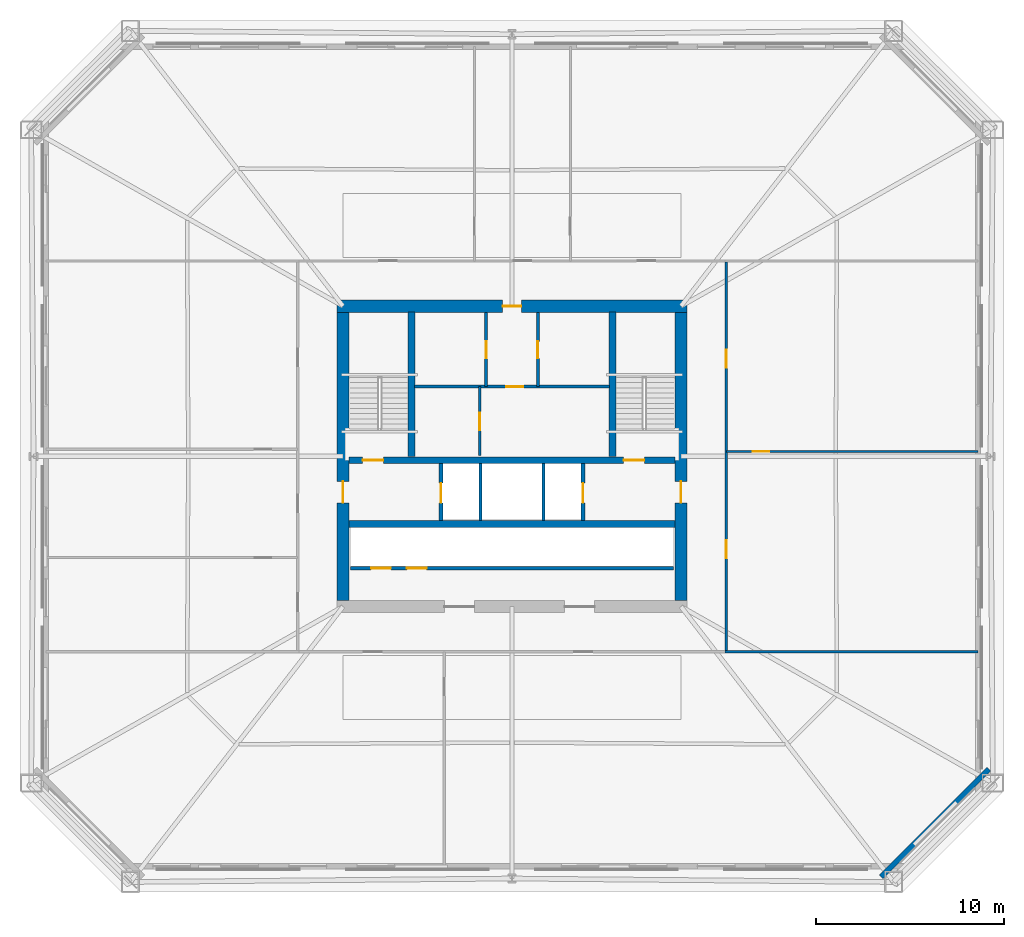
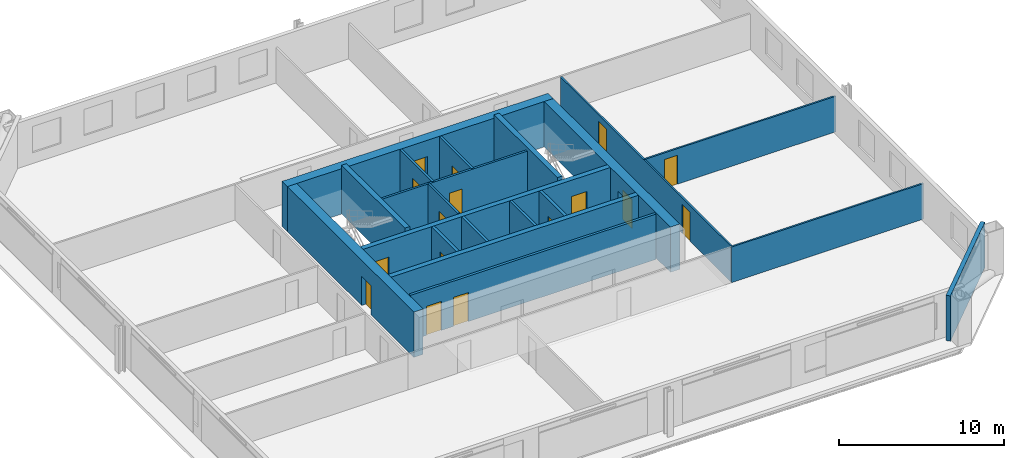
# One storey, part 6 of 11: 20 walls, 16 doors, 16 openings.
"""IFC4 building model written with IfcOpenShell, lengths in metres."""

from ifc_helpers import new_model, si_unit, direction, frame, frame_2d, origin, place, context, subcontext, project, spatial, rectangle, extrude, material, layer, layer_set, type_object, element, fill, save


model = new_model("IFC4")

# Units and contexts
model_context = context("Model", 3, precision=1e-05, world=origin(), true_north=direction((0.0, 1.0)))
body_context = subcontext(model_context, "Body", "Model", "MODEL_VIEW")
ifc_project = project(units=[si_unit("LENGTHUNIT", "METRE"), si_unit("AREAUNIT", "SQUARE_METRE"), si_unit("VOLUMEUNIT", "CUBIC_METRE"), si_unit("PLANEANGLEUNIT", "RADIAN"), si_unit("MASSUNIT", "GRAM", prefix="KILO")], contexts=[model_context])

# Site, building, storey
site_placement = place(None, origin())
site = spatial("IfcSite", under=ifc_project, at=site_placement, CompositionType="ELEMENT")
building_placement = place(site_placement, origin())
building = spatial("IfcBuilding", under=site, at=building_placement, Name="Caelvoria Tower", CompositionType="ELEMENT")
storey_placement = place(building_placement, frame((0.0, 0.0, 74.800048828125)))
storey = spatial("IfcBuildingStorey", under=building, at=storey_placement, Name="L19", CompositionType="ELEMENT", Elevation=74.800048828125)

# Wall, openings, doors
ifc_material_1 = material(Name="Concrete C50/60", Category="concrete")
ifc_layer_1 = layer(ifc_material_1, 0.35009765625, Name="Concrete C50/60")
ifc_layer_set_1 = layer_set([ifc_layer_1], Name="Core Internal Shear Wall 350 - Concrete C50/60")
wall_type_1 = type_object("IfcWallType", Name="Core Internal Shear Wall 350", PredefinedType="SHEAR", material=ifc_layer_set_1)
wall_1_placement = place(storey_placement, frame((37.324951171875, 31.800048828125, 0.0), z_axis=(0.0, 0.0, 1.0), x_axis=(1.0, 0.0, 0.0)))
wall_1 = element("IfcWall", 1, at=wall_1_placement, inside=storey, type_object=wall_type_1, Name="Core Shear Wall L19 M1", PredefinedType="SHEAR", context=body_context, shape_type="SweptSolid", body=[
    extrude(rectangle(XDim=17.35009765625, YDim=0.35009765625, at=frame_2d((8.675048828125, 0.0))), origin(), (0.0, 0.0, 1.0), 3.35986328125),
])
opening_1_placement = place(wall_1_placement, frame((0.72509765625, 0.0, 0.0)))
opening_1 = element("IfcOpeningElement", 2, at=opening_1_placement, cuts=wall_1, Name="Opening ID-01", PredefinedType="OPENING", context=body_context, shape_type="SweptSolid", body=[
    extrude(rectangle(XDim=1.10009765625, YDim=2.14990234375, at=frame_2d((0.550048828125, 1.074951171875))), frame((0.0, 0.18505859375, 0.0), z_axis=(0.0, -1.0, 0.0), x_axis=(1.0, 0.0, 0.0)), (0.0, 0.0, 1.0), 0.3701171875),
])
opening_2_placement = place(wall_1_placement, frame((14.625, 0.0, 0.0)))
opening_2 = element("IfcOpeningElement", 3, at=opening_2_placement, cuts=wall_1, Name="Opening ID-01", PredefinedType="OPENING", context=body_context, shape_type="SweptSolid", body=[
    extrude(rectangle(XDim=1.10009765625, YDim=2.14990234375, at=frame_2d((0.550048828125, 1.074951171875))), frame((0.0, 0.18505859375, 0.0), z_axis=(0.0, -1.0, 0.0), x_axis=(1.0, 0.0, 0.0)), (0.0, 0.0, 1.0), 0.3701171875),
])
ifc_material_2 = material(Name="Painted Hollow Steel Fire Door", Category="steel")
door_type_1 = type_object("IfcDoorType", Name="Fire Door FD90S 1100x2150", OperationType="NOTDEFINED", PredefinedType="DOOR", material=ifc_material_2)
door_1_placement = place(opening_1_placement, origin())
door_1 = element("IfcDoor", 4, at=door_1_placement, inside=storey, type_object=door_type_1, Name="Core Door DR-L19-ST1", OperationType="SINGLE_SWING_LEFT", OverallHeight=2.14990234375, OverallWidth=1.10009765625, PredefinedType="DOOR", context=body_context, shape_type="SweptSolid", body=[
    extrude(rectangle(XDim=1.10009765625, YDim=2.14990234375, at=frame_2d((0.550048828125, 1.074951171875))), frame((0.0, 0.02490234375, 0.0), z_axis=(0.0, -1.0, 0.0), x_axis=(1.0, 0.0, 0.0)), (0.0, 0.0, 1.0), 0.050048828125),
])
fill(opening_1, door_1)
door_2_placement = place(opening_2_placement, origin())
door_2 = element("IfcDoor", 5, at=door_2_placement, inside=storey, type_object=door_type_1, Name="Core Door DR-L19-ST2", OperationType="SINGLE_SWING_RIGHT", OverallHeight=2.14990234375, OverallWidth=1.10009765625, PredefinedType="DOOR", context=body_context, shape_type="SweptSolid", body=[
    extrude(rectangle(XDim=1.10009765625, YDim=2.14990234375, at=frame_2d((0.550048828125, 1.074951171875))), frame((0.0, 0.02490234375, 0.0), z_axis=(0.0, -1.0, 0.0), x_axis=(1.0, 0.0, 0.0)), (0.0, 0.0, 1.0), 0.050048828125),
])
fill(opening_2, door_2)

# Walls
wall_2_placement = place(storey_placement, frame((37.324951171875, 28.39990234375, 0.0), z_axis=(0.0, 0.0, 1.0), x_axis=(1.0, 0.0, 0.0)))
element("IfcWall", 6, at=wall_2_placement, inside=storey, type_object=wall_type_1, Name="Core Shear Wall L19 M2", PredefinedType="SHEAR", context=body_context, shape_type="SweptSolid", body=[
    extrude(rectangle(XDim=17.35009765625, YDim=0.35009765625, at=frame_2d((8.675048828125, 0.0))), origin(), (0.0, 0.0, 1.0), 3.35986328125),
])
for number, where, z_axis, x_axis, name in (
    (7, (40.64990234375, 32.0, 0.0), (0.0, 0.0, 1.0), (0.0, 1.0, 0.0), "Interior Partition IW-L19-ST1E"),
    (8, (51.35009765625, 32.0, 0.0), (0.0, 0.0, 1.0), (0.0, 1.0, 0.0), "Interior Partition IW-L19-ST2W"),
):
    element("IfcWall", number, at=place(storey_placement, frame(where, z_axis=z_axis, x_axis=x_axis)), inside=storey, type_object=wall_type_1, Name=name, PredefinedType="SHEAR", context=body_context, shape_type="SweptSolid", body=[
        extrude(rectangle(XDim=7.699951171875, YDim=0.35009765625, at=frame_2d((3.85009765625, 0.0))), origin(), (0.0, 0.0, 1.0), 3.599853515625),
    ])

# Wall, opening, door
ifc_material_3 = material(Name="Double Gypsum Board on Steel Stud", Category="steel")
ifc_layer_2 = layer(ifc_material_3, 0.14990234375, Name="Double Gypsum Board on Steel Stud")
ifc_layer_set_2 = layer_set([ifc_layer_2], Name="Core Service Acoustic Partition Wall 150 - Double Gypsum Board on Steel Stud")
wall_type_2 = type_object("IfcWallType", Name="Core Service Acoustic Partition Wall 150", PredefinedType="PARTITIONING", material=ifc_layer_set_2)
wall_3_placement = place(storey_placement, frame((44.6201171875, 35.719970703125, 0.0), z_axis=(0.0, 0.0, 1.0), x_axis=(0.0, 1.0, 0.0)))
wall_3 = element("IfcWall", 9, at=wall_3_placement, inside=storey, type_object=wall_type_2, Name="Interior Partition IW-L19-C0L", PredefinedType="PARTITIONING", context=body_context, shape_type="SweptSolid", body=[
    extrude(rectangle(XDim=3.929931640625, YDim=0.14990234375, at=frame_2d((1.96484375, 0.0))), origin(), (0.0, 0.0, 1.0), 3.35986328125),
])
opening_3_placement = place(wall_3_placement, frame((1.5, 0.0, 0.0)))
opening_3 = element("IfcOpeningElement", 10, at=opening_3_placement, cuts=wall_3, Name="Opening ID-06", PredefinedType="OPENING", context=body_context, shape_type="SweptSolid", body=[
    extrude(rectangle(XDim=0.89990234375, YDim=2.14990234375, at=frame_2d((0.449951171875, 1.074951171875))), frame((0.0, 0.0849609375, 0.0), z_axis=(0.0, -1.0, 0.0), x_axis=(1.0, 0.0, 0.0)), (0.0, 0.0, 1.0), 0.169921875),
])
ifc_material_4 = material(Name="Engineered Andean Oak Veneer Door", Category="wood")
door_type_2 = type_object("IfcDoorType", Name="Interior Timber Door 900x2150", OperationType="NOTDEFINED", PredefinedType="DOOR", material=ifc_material_4)
door_3_placement = place(opening_3_placement, origin())
door_3 = element("IfcDoor", 11, at=door_3_placement, inside=storey, type_object=door_type_2, Name="Interior Door DR-L19-C01", OperationType="SINGLE_SWING_LEFT", OverallHeight=2.14990234375, OverallWidth=0.89990234375, PredefinedType="DOOR", context=body_context, shape_type="SweptSolid", body=[
    extrude(rectangle(XDim=0.89990234375, YDim=2.14990234375, at=frame_2d((0.449951171875, 1.074951171875))), frame((0.0, 0.02490234375, 0.0), z_axis=(0.0, -1.0, 0.0), x_axis=(1.0, 0.0, 0.0)), (0.0, 0.0, 1.0), 0.050048828125),
])
fill(opening_3, door_3)

wall_4_placement = place(storey_placement, frame((47.3798828125, 35.719970703125, 0.0), z_axis=(0.0, 0.0, 1.0), x_axis=(0.0, 1.0, 0.0)))
wall_4 = element("IfcWall", 12, at=wall_4_placement, inside=storey, type_object=wall_type_2, Name="Interior Partition IW-L19-C0R", PredefinedType="PARTITIONING", context=body_context, shape_type="SweptSolid", body=[
    extrude(rectangle(XDim=3.929931640625, YDim=0.14990234375, at=frame_2d((1.96484375, 0.0))), origin(), (0.0, 0.0, 1.0), 3.35986328125),
])
opening_4_placement = place(wall_4_placement, frame((1.5, 0.0, 0.0)))
opening_4 = element("IfcOpeningElement", 13, at=opening_4_placement, cuts=wall_4, Name="Opening ID-06", PredefinedType="OPENING", context=body_context, shape_type="SweptSolid", body=[
    extrude(rectangle(XDim=0.89990234375, YDim=2.14990234375, at=frame_2d((0.449951171875, 1.074951171875))), frame((0.0, 0.0849609375, 0.0), z_axis=(0.0, -1.0, 0.0), x_axis=(1.0, 0.0, 0.0)), (0.0, 0.0, 1.0), 0.169921875),
])
door_4_placement = place(opening_4_placement, origin())
door_4 = element("IfcDoor", 14, at=door_4_placement, inside=storey, type_object=door_type_2, Name="Interior Door DR-L19-C02", OperationType="SINGLE_SWING_RIGHT", OverallHeight=2.14990234375, OverallWidth=0.89990234375, PredefinedType="DOOR", context=body_context, shape_type="SweptSolid", body=[
    extrude(rectangle(XDim=0.89990234375, YDim=2.14990234375, at=frame_2d((0.449951171875, 1.074951171875))), frame((0.0, 0.02490234375, 0.0), z_axis=(0.0, -1.0, 0.0), x_axis=(1.0, 0.0, 0.0)), (0.0, 0.0, 1.0), 0.050048828125),
])
fill(opening_4, door_4)

wall_5_placement = place(storey_placement, frame((44.280029296875, 32.050048828125, 0.0), z_axis=(0.0, 0.0, 1.0), x_axis=(0.0, 1.0, 0.0)))
wall_5 = element("IfcWall", 15, at=wall_5_placement, inside=storey, type_object=wall_type_2, Name="Interior Partition IW-L19-C0M", PredefinedType="PARTITIONING", context=body_context, shape_type="SweptSolid", body=[
    extrude(rectangle(XDim=3.669921875, YDim=0.14990234375, at=frame_2d((1.8349609375, 0.0))), origin(), (0.0, 0.0, 1.0), 3.35986328125),
])
opening_5_placement = place(wall_5_placement, frame((1.35009765625, 0.0, 0.0)))
opening_5 = element("IfcOpeningElement", 16, at=opening_5_placement, cuts=wall_5, Name="Opening ID-07", PredefinedType="OPENING", context=body_context, shape_type="SweptSolid", body=[
    extrude(rectangle(XDim=0.919921875, YDim=2.14990234375, at=frame_2d((0.4599609375, 1.074951171875))), frame((0.0, 0.0849609375, 0.0), z_axis=(0.0, -1.0, 0.0), x_axis=(1.0, 0.0, 0.0)), (0.0, 0.0, 1.0), 0.169921875),
])
ifc_material_5 = material(Name="Engineered Andean Oak Accessible Door", Category="wood")
door_type_3 = type_object("IfcDoorType", Name="Accessible WC Door 950x2150", OperationType="NOTDEFINED", PredefinedType="DOOR", material=ifc_material_5)
door_5_placement = place(opening_5_placement, origin())
door_5 = element("IfcDoor", 17, at=door_5_placement, inside=storey, type_object=door_type_3, Name="Interior Door DR-L19-C05", OperationType="SINGLE_SWING_LEFT", OverallHeight=2.14990234375, OverallWidth=0.919921875, PredefinedType="DOOR", context=body_context, shape_type="SweptSolid", body=[
    extrude(rectangle(XDim=0.919921875, YDim=2.14990234375, at=frame_2d((0.4599609375, 1.074951171875))), frame((0.0, 0.02490234375, 0.0), z_axis=(0.0, -1.0, 0.0), x_axis=(1.0, 0.0, 0.0)), (0.0, 0.0, 1.0), 0.050048828125),
])
fill(opening_5, door_5)

wall_6_placement = place(storey_placement, frame((40.800048828125, 35.719970703125, 0.0), z_axis=(0.0, 0.0, 1.0), x_axis=(1.0, 0.0, 0.0)))
wall_6 = element("IfcWall", 18, at=wall_6_placement, inside=storey, type_object=wall_type_2, Name="Interior Partition IW-L19-C0H", PredefinedType="PARTITIONING", context=body_context, shape_type="SweptSolid", body=[
    extrude(rectangle(XDim=10.39990234375, YDim=0.14990234375, at=frame_2d((5.199951171875, 0.0))), origin(), (0.0, 0.0, 1.0), 3.35986328125),
])
opening_6_placement = place(wall_6_placement, frame((4.89990234375, 0.0, 0.0)))
opening_6 = element("IfcOpeningElement", 19, at=opening_6_placement, cuts=wall_6, Name="Opening ID-04", PredefinedType="OPENING", context=body_context, shape_type="SweptSolid", body=[
    extrude(rectangle(XDim=0.89990234375, YDim=2.14990234375, at=frame_2d((0.449951171875, 1.074951171875))), frame((0.0, 0.0849609375, 0.0), z_axis=(0.0, -1.0, 0.0), x_axis=(1.0, 0.0, 0.0)), (0.0, 0.0, 1.0), 0.169921875),
])
ifc_material_6 = material(Name="Acoustic Timber Fire Door", Category="wood")
door_type_4 = type_object("IfcDoorType", Name="Fire Door FD30S 900x2150", OperationType="NOTDEFINED", PredefinedType="DOOR", material=ifc_material_6)
door_6_placement = place(opening_6_placement, origin())
door_6 = element("IfcDoor", 20, at=door_6_placement, inside=storey, type_object=door_type_4, Name="Interior Door DR-L19-C04", OperationType="SINGLE_SWING_RIGHT", OverallHeight=2.14990234375, OverallWidth=0.89990234375, PredefinedType="DOOR", context=body_context, shape_type="SweptSolid", body=[
    extrude(rectangle(XDim=0.89990234375, YDim=2.14990234375, at=frame_2d((0.449951171875, 1.074951171875))), frame((0.0, 0.02490234375, 0.0), z_axis=(0.0, -1.0, 0.0), x_axis=(1.0, 0.0, 0.0)), (0.0, 0.0, 1.0), 0.050048828125),
])
fill(opening_6, door_6)

# Walls
ifc_material_7 = material(Name="Precast Concrete C40/50 with Bronze Cladding", Category="concrete")
ifc_layer_3 = layer(ifc_material_7, 0.280029296875, Name="Precast Concrete C40/50 with Bronze Cladding")
ifc_layer_set_3 = layer_set([ifc_layer_3], Name="Exterior Precast Concrete C40/50 Bronze-Clad Facade Wall 280 - Precast Concrete C40/50 with Bronze Cladding")
wall_type_3 = type_object("IfcWallType", Name="Exterior Precast Concrete C40/50 Bronze-Clad Facade Wall 280", PredefinedType="STANDARD", material=ifc_layer_set_3)
wall_7_placement = place(storey_placement, frame((65.654541015625, 9.606201171875, 0.0), z_axis=(0.0, 0.0, 1.0), x_axis=(0.707106781187, 0.707106781187, 0.0)))
element("IfcWall", 21, at=wall_7_placement, inside=storey, type_object=wall_type_3, Name="Exterior Facade Wall L19-E1", PredefinedType="STANDARD", context=body_context, shape_type="SweptSolid", body=[
    extrude(rectangle(XDim=8.116455078125, YDim=0.280029296875, at=frame_2d((4.05810546875, 0.0))), origin(), (0.0, 0.0, 1.0), 3.35986328125),
])
ifc_material_8 = material(Name="Concrete Block and Fireboard Assembly", Category="concrete")
ifc_layer_4 = layer(ifc_material_8, 0.179931640625, Name="Concrete Block and Fireboard Assembly")
ifc_layer_set_4 = layer_set([ifc_layer_4], Name="Fire-Rated Hoistway Partition Wall 180 - Concrete Block and Fireboard Assembly")
wall_type_4 = type_object("IfcWallType", Name="Fire-Rated Hoistway Partition Wall 180", PredefinedType="PARTITIONING", material=ifc_layer_set_4)
for number, where, z_axis, x_axis, name in (
    (22, (44.320068359375, 28.580078125, 0.0), (0.0, 0.0, 1.0), (0.0, 1.0, 0.0), "Interior Partition IW-L19-SV1W"),
    (23, (47.679931640625, 28.580078125, 0.0), (0.0, 0.0, 1.0), (0.0, 1.0, 0.0), "Interior Partition IW-L19-SV1E"),
):
    element("IfcWall", number, at=place(storey_placement, frame(where, z_axis=z_axis, x_axis=x_axis)), inside=storey, type_object=wall_type_4, Name=name, PredefinedType="PARTITIONING", context=body_context, shape_type="SweptSolid", body=[
        extrude(rectangle(XDim=3.0400390625, YDim=0.179931640625, at=frame_2d((1.52001953125, 0.0))), origin(), (0.0, 0.0, 1.0), 3.35986328125),
    ])

# Wall, openings, doors
wall_8_placement = place(storey_placement, frame((37.39990234375, 26.050048828125, 0.0), z_axis=(0.0, 0.0, 1.0), x_axis=(1.0, 0.0, 0.0)))
wall_8 = element("IfcWall", 24, at=wall_8_placement, inside=storey, type_object=wall_type_4, Name="Interior Partition IW-L19-LFRONT", PredefinedType="PARTITIONING", context=body_context, shape_type="SweptSolid", body=[
    extrude(rectangle(XDim=17.2001953125, YDim=0.179931640625, at=frame_2d((8.60009765625, 0.0))), origin(), (0.0, 0.0, 1.0), 3.35986328125),
])
opening_7_placement = place(wall_8_placement, frame((1.10009765625, 0.0, 0.0)))
opening_7 = element("IfcOpeningElement", 25, at=opening_7_placement, cuts=wall_8, Name="Opening LD-01", PredefinedType="OPENING", context=body_context, shape_type="SweptSolid", body=[
    extrude(rectangle(XDim=1.050048828125, YDim=2.14990234375, at=frame_2d((0.52490234375, 1.074951171875))), frame((0.0, 0.099853515625, 0.0), z_axis=(0.0, -1.0, 0.0), x_axis=(1.0, 0.0, 0.0)), (0.0, 0.0, 1.0), 0.199951171875),
])
opening_8_placement = place(wall_8_placement, frame((3.0, 0.0, 0.0)))
opening_8 = element("IfcOpeningElement", 26, at=opening_8_placement, cuts=wall_8, Name="Opening LD-01", PredefinedType="OPENING", context=body_context, shape_type="SweptSolid", body=[
    extrude(rectangle(XDim=1.050048828125, YDim=2.14990234375, at=frame_2d((0.52490234375, 1.074951171875))), frame((0.0, 0.099853515625, 0.0), z_axis=(0.0, -1.0, 0.0), x_axis=(1.0, 0.0, 0.0)), (0.0, 0.0, 1.0), 0.199951171875),
])
ifc_material_9 = material(Name="Brushed Bronze Stainless Sliding Landing Door", Category="aluminium")
door_type_5 = type_object("IfcDoorType", Name="Lift Landing Sliding Door 1100x2150", OperationType="NOTDEFINED", PredefinedType="DOOR", material=ifc_material_9)
door_7_placement = place(opening_7_placement, origin())
door_7 = element("IfcDoor", 27, at=door_7_placement, inside=storey, type_object=door_type_5, Name="Interior Door LD-L19-PL1", OperationType="SLIDING_TO_LEFT", OverallHeight=2.14990234375, OverallWidth=1.050048828125, PredefinedType="DOOR", context=body_context, shape_type="SweptSolid", body=[
    extrude(rectangle(XDim=1.050048828125, YDim=2.14990234375, at=frame_2d((0.52490234375, 1.074951171875))), frame((0.0, 0.02490234375, 0.0), z_axis=(0.0, -1.0, 0.0), x_axis=(1.0, 0.0, 0.0)), (0.0, 0.0, 1.0), 0.050048828125),
])
fill(opening_7, door_7)
door_8_placement = place(opening_8_placement, origin())
door_8 = element("IfcDoor", 28, at=door_8_placement, inside=storey, type_object=door_type_5, Name="Interior Door LD-L19-PL2", OperationType="SLIDING_TO_RIGHT", OverallHeight=2.14990234375, OverallWidth=1.050048828125, PredefinedType="DOOR", context=body_context, shape_type="SweptSolid", body=[
    extrude(rectangle(XDim=1.050048828125, YDim=2.14990234375, at=frame_2d((0.52490234375, 1.074951171875))), frame((0.0, 0.02490234375, 0.0), z_axis=(0.0, -1.0, 0.0), x_axis=(1.0, 0.0, 0.0)), (0.0, 0.0, 1.0), 0.050048828125),
])
fill(opening_8, door_8)

# Wall, opening, door
ifc_layer_5 = layer(ifc_material_8, 0.199951171875, Name="Concrete Block and Fireboard Assembly")
ifc_layer_set_5 = layer_set([ifc_layer_5], Name="Fire-Rated Shaft and Core Partition Wall 200 - Concrete Block and Fireboard Assembly")
wall_type_5 = type_object("IfcWallType", Name="Fire-Rated Shaft and Core Partition Wall 200", PredefinedType="PARTITIONING", material=ifc_layer_set_5)
wall_9_placement = place(storey_placement, frame((42.219970703125, 28.580078125, 0.0), z_axis=(0.0, 0.0, 1.0), x_axis=(0.0, 1.0, 0.0)))
wall_9 = element("IfcWall", 29, at=wall_9_placement, inside=storey, type_object=wall_type_5, Name="Interior Partition IW-L19-LF1W", PredefinedType="PARTITIONING", context=body_context, shape_type="SweptSolid", body=[
    extrude(rectangle(XDim=3.0400390625, YDim=0.199951171875, at=frame_2d((1.52001953125, 0.0))), origin(), (0.0, 0.0, 1.0), 3.35986328125),
])
opening_9_placement = place(wall_9_placement, frame((0.949951171875, 0.0, 0.0)))
opening_9 = element("IfcOpeningElement", 30, at=opening_9_placement, cuts=wall_9, Name="Opening LD-01", PredefinedType="OPENING", context=body_context, shape_type="SweptSolid", body=[
    extrude(rectangle(XDim=1.050048828125, YDim=2.14990234375, at=frame_2d((0.52490234375, 1.074951171875))), frame((0.0, 0.10986328125, 0.0), z_axis=(0.0, -1.0, 0.0), x_axis=(1.0, 0.0, 0.0)), (0.0, 0.0, 1.0), 0.219970703125),
])
door_9_placement = place(opening_9_placement, origin())
door_9 = element("IfcDoor", 31, at=door_9_placement, inside=storey, type_object=door_type_5, Name="Interior Door LD-L19-LF1", OperationType="SLIDING_TO_LEFT", OverallHeight=2.14990234375, OverallWidth=1.050048828125, PredefinedType="DOOR", context=body_context, shape_type="SweptSolid", body=[
    extrude(rectangle(XDim=1.050048828125, YDim=2.14990234375, at=frame_2d((0.52490234375, 1.074951171875))), frame((0.0, 0.02490234375, 0.0), z_axis=(0.0, -1.0, 0.0), x_axis=(1.0, 0.0, 0.0)), (0.0, 0.0, 1.0), 0.050048828125),
])
fill(opening_9, door_9)

wall_10_placement = place(storey_placement, frame((49.780029296875, 28.580078125, 0.0), z_axis=(0.0, 0.0, 1.0), x_axis=(0.0, 1.0, 0.0)))
wall_10 = element("IfcWall", 32, at=wall_10_placement, inside=storey, type_object=wall_type_5, Name="Interior Partition IW-L19-LF2E", PredefinedType="PARTITIONING", context=body_context, shape_type="SweptSolid", body=[
    extrude(rectangle(XDim=3.0400390625, YDim=0.199951171875, at=frame_2d((1.52001953125, 0.0))), origin(), (0.0, 0.0, 1.0), 3.35986328125),
])
opening_10_placement = place(wall_10_placement, frame((0.949951171875, 0.0, 0.0)))
opening_10 = element("IfcOpeningElement", 33, at=opening_10_placement, cuts=wall_10, Name="Opening LD-01", PredefinedType="OPENING", context=body_context, shape_type="SweptSolid", body=[
    extrude(rectangle(XDim=1.050048828125, YDim=2.14990234375, at=frame_2d((0.52490234375, 1.074951171875))), frame((0.0, 0.10986328125, 0.0), z_axis=(0.0, -1.0, 0.0), x_axis=(1.0, 0.0, 0.0)), (0.0, 0.0, 1.0), 0.219970703125),
])
door_10_placement = place(opening_10_placement, origin())
door_10 = element("IfcDoor", 34, at=door_10_placement, inside=storey, type_object=door_type_5, Name="Interior Door LD-L19-LF2", OperationType="SLIDING_TO_RIGHT", OverallHeight=2.14990234375, OverallWidth=1.050048828125, PredefinedType="DOOR", context=body_context, shape_type="SweptSolid", body=[
    extrude(rectangle(XDim=1.050048828125, YDim=2.14990234375, at=frame_2d((0.52490234375, 1.074951171875))), frame((0.0, 0.02490234375, 0.0), z_axis=(0.0, -1.0, 0.0), x_axis=(1.0, 0.0, 0.0)), (0.0, 0.0, 1.0), 0.050048828125),
])
fill(opening_10, door_10)

ifc_material_10 = material(Name="Concrete C60/75", Category="concrete")
ifc_layer_6 = layer(ifc_material_10, 0.64990234375, Name="Concrete C60/75")
ifc_layer_set_6 = layer_set([ifc_layer_6], Name="Lower Core Shear Wall 650 - Concrete C60/75")
wall_type_6 = type_object("IfcWallType", Name="Lower Core Shear Wall 650", PredefinedType="SHEAR", material=ifc_layer_set_6)
wall_11_placement = place(storey_placement, frame((36.675048828125, 40.0, 0.0), z_axis=(0.0, 0.0, 1.0), x_axis=(1.0, 0.0, 0.0)))
wall_11 = element("IfcWall", 35, at=wall_11_placement, inside=storey, type_object=wall_type_6, Name="Core Shear Wall L19 N", PredefinedType="SHEAR", context=body_context, shape_type="SweptSolid", body=[
    extrude(rectangle(XDim=18.64990234375, YDim=0.64990234375, at=frame_2d((9.324951171875, 0.0))), origin(), (0.0, 0.0, 1.0), 3.35986328125),
])
opening_11_placement = place(wall_11_placement, frame((8.824951171875, 0.0, 0.0)))
opening_11 = element("IfcOpeningElement", 36, at=opening_11_placement, cuts=wall_11, Name="Opening ID-03", PredefinedType="OPENING", context=body_context, shape_type="SweptSolid", body=[
    extrude(rectangle(XDim=1.0, YDim=2.14990234375, at=frame_2d((0.5, 1.074951171875))), frame((0.0, 0.3349609375, 0.0), z_axis=(0.0, -1.0, 0.0), x_axis=(1.0, 0.0, 0.0)), (0.0, 0.0, 1.0), 0.669921875),
])
door_type_6 = type_object("IfcDoorType", Name="Fire Door FD60S 1000x2150", OperationType="NOTDEFINED", PredefinedType="DOOR", material=ifc_material_2)
door_11_placement = place(opening_11_placement, origin())
door_11 = element("IfcDoor", 37, at=door_11_placement, inside=storey, type_object=door_type_6, Name="Core Door DR-L19-WC-MAIN", OperationType="SINGLE_SWING_RIGHT", OverallHeight=2.14990234375, OverallWidth=1.0, PredefinedType="DOOR", context=body_context, shape_type="SweptSolid", body=[
    extrude(rectangle(XDim=1.0, YDim=2.14990234375, at=frame_2d((0.5, 1.074951171875))), frame((0.0, 0.02490234375, 0.0), z_axis=(0.0, -1.0, 0.0), x_axis=(1.0, 0.0, 0.0)), (0.0, 0.0, 1.0), 0.050048828125),
])
fill(opening_11, door_11)

wall_12_placement = place(storey_placement, frame((37.0, 24.324951171875, 0.0), z_axis=(0.0, 0.0, 1.0), x_axis=(0.0, 1.0, 0.0)))
wall_12 = element("IfcWall", 38, at=wall_12_placement, inside=storey, type_object=wall_type_6, Name="Core Shear Wall L19 W", PredefinedType="SHEAR", context=body_context, shape_type="SweptSolid", body=[
    extrude(rectangle(XDim=15.35009765625, YDim=0.64990234375, at=frame_2d((7.675048828125, 0.0))), origin(), (0.0, 0.0, 1.0), 3.35986328125),
])
opening_12_placement = place(wall_12_placement, frame((5.199951171875, 0.0, 0.0)))
opening_12 = element("IfcOpeningElement", 39, at=opening_12_placement, cuts=wall_12, Name="Opening ID-02", PredefinedType="OPENING", context=body_context, shape_type="SweptSolid", body=[
    extrude(rectangle(XDim=1.14990234375, YDim=2.14990234375, at=frame_2d((0.574951171875, 1.074951171875))), frame((0.0, 0.3349609375, 0.0), z_axis=(0.0, -1.0, 0.0), x_axis=(1.0, 0.0, 0.0)), (0.0, 0.0, 1.0), 0.669921875),
])
door_type_7 = type_object("IfcDoorType", Name="Fire Door FD60S 1150x2150", OperationType="NOTDEFINED", PredefinedType="DOOR", material=ifc_material_2)
door_12_placement = place(opening_12_placement, origin())
door_12 = element("IfcDoor", 40, at=door_12_placement, inside=storey, type_object=door_type_7, Name="Core Door DR-L19-FFLW-OUT", OperationType="SINGLE_SWING_LEFT", OverallHeight=2.14990234375, OverallWidth=1.14990234375, PredefinedType="DOOR", context=body_context, shape_type="SweptSolid", body=[
    extrude(rectangle(XDim=1.14990234375, YDim=2.14990234375, at=frame_2d((0.574951171875, 1.074951171875))), frame((0.0, 0.02490234375, 0.0), z_axis=(0.0, -1.0, 0.0), x_axis=(1.0, 0.0, 0.0)), (0.0, 0.0, 1.0), 0.050048828125),
])
fill(opening_12, door_12)

wall_13_placement = place(storey_placement, frame((55.0, 24.324951171875, 0.0), z_axis=(0.0, 0.0, 1.0), x_axis=(0.0, 1.0, 0.0)))
wall_13 = element("IfcWall", 41, at=wall_13_placement, inside=storey, type_object=wall_type_6, Name="Core Shear Wall L19 E", PredefinedType="SHEAR", context=body_context, shape_type="SweptSolid", body=[
    extrude(rectangle(XDim=15.35009765625, YDim=0.64990234375, at=frame_2d((7.675048828125, 0.0))), origin(), (0.0, 0.0, 1.0), 3.35986328125),
])
opening_13_placement = place(wall_13_placement, frame((5.199951171875, 0.0, 0.0)))
opening_13 = element("IfcOpeningElement", 42, at=opening_13_placement, cuts=wall_13, Name="Opening ID-02", PredefinedType="OPENING", context=body_context, shape_type="SweptSolid", body=[
    extrude(rectangle(XDim=1.14990234375, YDim=2.14990234375, at=frame_2d((0.574951171875, 1.074951171875))), frame((0.0, 0.3349609375, 0.0), z_axis=(0.0, -1.0, 0.0), x_axis=(1.0, 0.0, 0.0)), (0.0, 0.0, 1.0), 0.669921875),
])
door_13_placement = place(opening_13_placement, origin())
door_13 = element("IfcDoor", 43, at=door_13_placement, inside=storey, type_object=door_type_7, Name="Core Door DR-L19-FFLE-OUT", OperationType="SINGLE_SWING_RIGHT", OverallHeight=2.14990234375, OverallWidth=1.14990234375, PredefinedType="DOOR", context=body_context, shape_type="SweptSolid", body=[
    extrude(rectangle(XDim=1.14990234375, YDim=2.14990234375, at=frame_2d((0.574951171875, 1.074951171875))), frame((0.0, 0.02490234375, 0.0), z_axis=(0.0, -1.0, 0.0), x_axis=(1.0, 0.0, 0.0)), (0.0, 0.0, 1.0), 0.050048828125),
])
fill(opening_13, door_13)

ifc_material_11 = material(Name="Acoustic Gypsum Board on Light-Gauge Stud", Category="gypsum")
ifc_layer_7 = layer(ifc_material_11, 0.1201171875, Name="Acoustic Gypsum Board on Light-Gauge Stud")
ifc_layer_set_7 = layer_set([ifc_layer_7], Name="Tenant Suite Acoustic Partition Wall 120 - Acoustic Gypsum Board on Light-Gauge Stud")
wall_type_7 = type_object("IfcWallType", Name="Tenant Suite Acoustic Partition Wall 120", PredefinedType="PARTITIONING", material=ifc_layer_set_7)
wall_14_placement = place(storey_placement, frame((57.409912109375, 32.26171875, 0.0), z_axis=(0.0, 0.0, 1.0), x_axis=(1.0, 0.0, 0.0)))
wall_14 = element("IfcWall", 44, at=wall_14_placement, inside=storey, type_object=wall_type_7, Name="Interior Partition IW-L19-ED-00-0", PredefinedType="PARTITIONING", context=body_context, shape_type="SweptSolid", body=[
    extrude(rectangle(XDim=13.41015625, YDim=0.1201171875, at=frame_2d((6.705078125, 0.0))), origin(), (0.0, 0.0, 1.0), 2.639892578125),
])
opening_14_placement = place(wall_14_placement, frame((1.39990234375, 0.0, 0.0)))
opening_14 = element("IfcOpeningElement", 45, at=opening_14_placement, cuts=wall_14, Name="Opening ID-06", PredefinedType="OPENING", context=body_context, shape_type="SweptSolid", body=[
    extrude(rectangle(XDim=0.89990234375, YDim=2.14990234375, at=frame_2d((0.449951171875, 1.074951171875))), frame((0.0, 0.070068359375, 0.0), z_axis=(0.0, -1.0, 0.0), x_axis=(1.0, 0.0, 0.0)), (0.0, 0.0, 1.0), 0.14013671875),
])
door_14_placement = place(opening_14_placement, origin())
door_14 = element("IfcDoor", 46, at=door_14_placement, inside=storey, type_object=door_type_2, Name="Interior Door DR-L19-EM-00-0", OperationType="SINGLE_SWING_RIGHT", OverallHeight=2.14990234375, OverallWidth=0.89990234375, PredefinedType="DOOR", context=body_context, shape_type="SweptSolid", body=[
    extrude(rectangle(XDim=0.89990234375, YDim=2.14990234375, at=frame_2d((0.449951171875, 1.074951171875))), frame((0.0, 0.02490234375, 0.0), z_axis=(0.0, -1.0, 0.0), x_axis=(1.0, 0.0, 0.0)), (0.0, 0.0, 1.0), 0.050048828125),
])
fill(opening_14, door_14)

# Wall, openings, doors
wall_15_placement = place(storey_placement, frame((57.409912109375, 21.64990234375, 0.0), z_axis=(0.0, 0.0, 1.0), x_axis=(0.0, 1.0, 0.0)))
wall_15 = element("IfcWall", 47, at=wall_15_placement, inside=storey, type_object=wall_type_7, Name="Interior Partition IW-L19-ECW-0", PredefinedType="PARTITIONING", context=body_context, shape_type="SweptSolid", body=[
    extrude(rectangle(XDim=20.7001953125, YDim=0.1201171875, at=frame_2d((10.35009765625, 0.0))), origin(), (0.0, 0.0, 1.0), 2.639892578125),
])
opening_15_placement = place(wall_15_placement, frame((4.930908203125, 0.0, 0.0)))
opening_15 = element("IfcOpeningElement", 48, at=opening_15_placement, cuts=wall_15, Name="Opening ID-05", PredefinedType="OPENING", context=body_context, shape_type="SweptSolid", body=[
    extrude(rectangle(XDim=0.949951171875, YDim=2.14990234375, at=frame_2d((0.47509765625, 1.074951171875))), frame((0.0, 0.070068359375, 0.0), z_axis=(0.0, -1.0, 0.0), x_axis=(1.0, 0.0, 0.0)), (0.0, 0.0, 1.0), 0.14013671875),
])
opening_16_placement = place(wall_15_placement, frame((15.080810546875, 0.0, 0.0)))
opening_16 = element("IfcOpeningElement", 49, at=opening_16_placement, cuts=wall_15, Name="Opening ID-05", PredefinedType="OPENING", context=body_context, shape_type="SweptSolid", body=[
    extrude(rectangle(XDim=0.949951171875, YDim=2.14990234375, at=frame_2d((0.47509765625, 1.074951171875))), frame((0.0, 0.070068359375, 0.0), z_axis=(0.0, -1.0, 0.0), x_axis=(1.0, 0.0, 0.0)), (0.0, 0.0, 1.0), 0.14013671875),
])
door_type_8 = type_object("IfcDoorType", Name="Interior Timber Door 950x2150", OperationType="NOTDEFINED", PredefinedType="DOOR", material=ifc_material_4)
door_15_placement = place(opening_15_placement, origin())
door_15 = element("IfcDoor", 50, at=door_15_placement, inside=storey, type_object=door_type_8, Name="Interior Door DR-L19-EC-00-0", OperationType="SINGLE_SWING_RIGHT", OverallHeight=2.14990234375, OverallWidth=0.949951171875, PredefinedType="DOOR", context=body_context, shape_type="SweptSolid", body=[
    extrude(rectangle(XDim=0.949951171875, YDim=2.14990234375, at=frame_2d((0.47509765625, 1.074951171875))), frame((0.0, 0.02490234375, 0.0), z_axis=(0.0, -1.0, 0.0), x_axis=(1.0, 0.0, 0.0)), (0.0, 0.0, 1.0), 0.050048828125),
])
fill(opening_15, door_15)
door_16_placement = place(opening_16_placement, origin())
door_16 = element("IfcDoor", 51, at=door_16_placement, inside=storey, type_object=door_type_8, Name="Interior Door DR-L19-EC-01-0", OperationType="SINGLE_SWING_LEFT", OverallHeight=2.14990234375, OverallWidth=0.949951171875, PredefinedType="DOOR", context=body_context, shape_type="SweptSolid", body=[
    extrude(rectangle(XDim=0.949951171875, YDim=2.14990234375, at=frame_2d((0.47509765625, 1.074951171875))), frame((0.0, 0.02490234375, 0.0), z_axis=(0.0, -1.0, 0.0), x_axis=(1.0, 0.0, 0.0)), (0.0, 0.0, 1.0), 0.050048828125),
])
fill(opening_16, door_16)

# Wall
wall_16_placement = place(storey_placement, frame((57.35009765625, 21.590087890625, 0.0), z_axis=(0.0, 0.0, 1.0), x_axis=(1.0, 0.0, 0.0)))
element("IfcWall", 52, at=wall_16_placement, inside=storey, type_object=wall_type_7, Name="Interior Partition IW-L19-BSE-0", PredefinedType="PARTITIONING", context=body_context, shape_type="SweptSolid", body=[
    extrude(rectangle(XDim=13.469970703125, YDim=0.1201171875, at=frame_2d((6.73486328125, 0.0))), origin(), (0.0, 0.0, 1.0), 2.639892578125),
])

save(model, "model.ifc")
